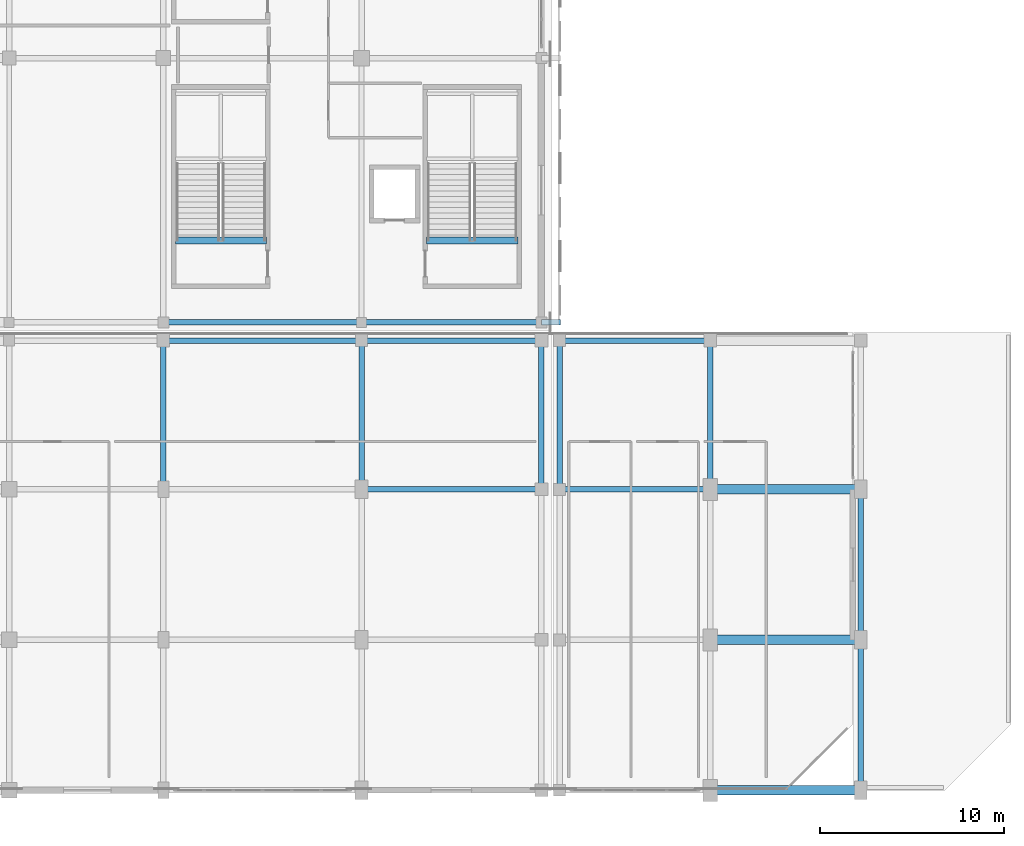
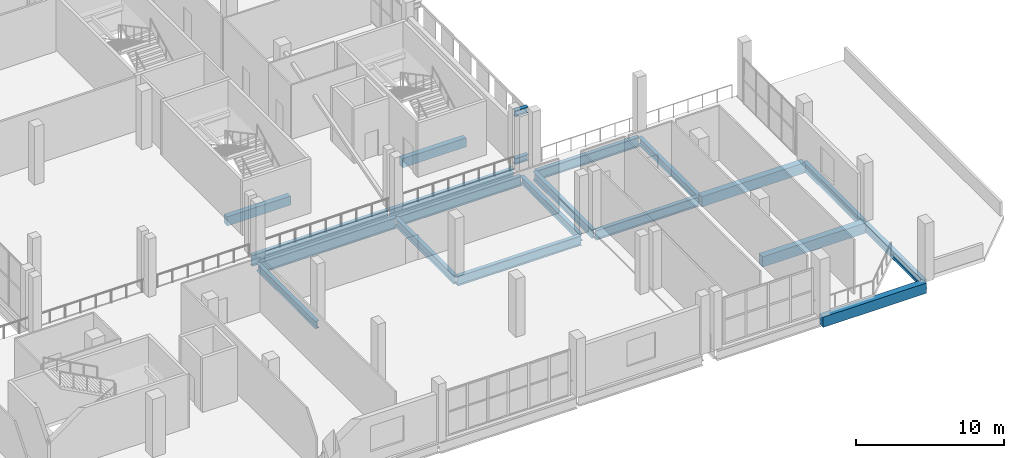
# One storey, part 48 of 142: 21 beams.
"""IFC4 building model written with IfcOpenShell, lengths in metres."""

import ifcopenshell
import ifcopenshell.guid

model = None  # the IFC model being written
_history = None  # IfcOwnerHistory: only IFC2X3 demands one
_inside = {}  # id of a spatial element -> (the spatial element, [elements in it])
_under = {}  # id of a project, library or spatial element -> (it, [spatial elements below it])
_declared = {}  # id of a project -> (the project, [libraries it declares])
_typed = {}  # id of a type object -> (the type object, [elements of that type])
_made_of = {}  # id of a material, layer set ... -> (it, [elements and type objects made of it])


def new_model(schema):
    """Start an empty IFC model of exactly this schema.

    Asked for "IFC4X3", IfcOpenShell would pick the latest addendum, in which some entities
    have other attributes; the version numbers below select the first issue.
    IFC2X3 requires an IfcOwnerHistory on every rooted entity: one is made here for all.
    """
    global model, _history
    if schema == "IFC4X3":
        model = ifcopenshell.file(schema_version=(4, 3, 0, 0))
    else:
        model = ifcopenshell.file(schema=schema)
    _inside.clear()
    _under.clear()
    _declared.clear()
    _typed.clear()
    _made_of.clear()
    _history = None
    if model.schema == "IFC2X3":
        org = make("IfcOrganization", Name="unknown")
        user = make(
            "IfcPersonAndOrganization",
            ThePerson=make("IfcPerson", FamilyName="unknown"),
            TheOrganization=org,
        )
        app = make(
            "IfcApplication",
            ApplicationDeveloper=org,
            Version="unknown",
            ApplicationFullName="unknown",
            ApplicationIdentifier="unknown",
        )
        _history = make(
            "IfcOwnerHistory",
            OwningUser=user,
            OwningApplication=app,
            ChangeAction="ADDED",
            CreationDate=0,
        )
    return model


def make(cls, **values):
    """One entity of the class cls with the attributes given. An attribute that is None is left unset."""
    return model.create_entity(
        cls, **{name: value for name, value in values.items() if value is not None}
    )


def rooted(cls, **values):
    """An entity with a GlobalId (a new one), such as an element, a storey or a relation."""
    return make(cls, GlobalId=ifcopenshell.guid.new(), OwnerHistory=_history, **values)


def si_unit(unit_type, name, prefix=None):
    """IfcSIUnit, for example si_unit("LENGTHUNIT", "METRE", prefix="MILLI")."""
    return make("IfcSIUnit", UnitType=unit_type, Prefix=prefix, Name=name)


def assignment(units):
    """IfcUnitAssignment: the units of a project."""
    return None if units is None else make("IfcUnitAssignment", Units=units)


def point(xyz):
    """IfcCartesianPoint."""
    return None if xyz is None else make("IfcCartesianPoint", Coordinates=xyz)


def direction(xyz):
    """IfcDirection."""
    return None if xyz is None else make("IfcDirection", DirectionRatios=xyz)


def frame(location, z_axis=None, x_axis=None):
    """IfcAxis2Placement3D, a coordinate frame: its origin and axes. An axis left out is left unset."""
    return make(
        "IfcAxis2Placement3D",
        Location=point(location),
        Axis=direction(z_axis),
        RefDirection=direction(x_axis),
    )


def frame_2d(location, x_axis=None):
    """IfcAxis2Placement2D, a coordinate frame in the plane: its origin and x axis."""
    return make(
        "IfcAxis2Placement2D", Location=point(location), RefDirection=direction(x_axis)
    )


def origin():
    """The frame at (0, 0, 0) with its axes left unset."""
    return frame((0.0, 0.0, 0.0))


def origin_2d():
    """The frame at (0, 0) in the plane with its x axis left unset."""
    return frame_2d((0.0, 0.0))


def place(relative_to, where):
    """IfcLocalPlacement: puts the frame where relative to a parent placement (None: the world)."""
    return make(
        "IfcLocalPlacement", PlacementRelTo=relative_to, RelativePlacement=where
    )


def context(
    kind, dimensions, precision=None, world=None, true_north=None, identifier=None
):
    """IfcGeometricRepresentationContext, for example the 3D "Model" context."""
    return make(
        "IfcGeometricRepresentationContext",
        ContextIdentifier=identifier,
        ContextType=kind,
        CoordinateSpaceDimension=dimensions,
        Precision=precision,
        WorldCoordinateSystem=world,
        TrueNorth=true_north,
    )


def subcontext(parent, identifier, kind, view, scale=None):
    """IfcGeometricRepresentationSubContext, for example "Body" below "Model"."""
    return make(
        "IfcGeometricRepresentationSubContext",
        ContextIdentifier=identifier,
        ContextType=kind,
        ParentContext=parent,
        TargetScale=scale,
        TargetView=view,
    )


def project(units=None, contexts=None):
    """IfcProject with its units and contexts."""
    return rooted(
        "IfcProject",
        Name="project",
        RepresentationContexts=contexts,
        UnitsInContext=assignment(units),
    )


def spatial(cls, under=None, at=None, **own):
    """A site, building, storey or space (cls), placed at a placement, below another one or the project."""
    s = rooted(cls, ObjectPlacement=at, **own)
    if under is not None:
        _under.setdefault(under.id(), (under, []))[1].append(s)
    return s


def profile(cls, at=None, kind="AREA", **sizes):
    """A parametric profile (cls). Its sizes go by their IFC names, for example OverallWidth=200.0."""
    return make(cls, ProfileType=kind, Position=at, **sizes)


def rectangle(**sizes):
    """IfcRectangleProfileDef."""
    return profile("IfcRectangleProfileDef", **sizes)


def i_section(**sizes):
    """IfcIShapeProfileDef."""
    return profile("IfcIShapeProfileDef", **sizes)


def extrude(swept, where, along, depth):
    """IfcExtrudedAreaSolid: the profile swept, set in the frame where, extruded along a direction by depth."""
    return make(
        "IfcExtrudedAreaSolid",
        SweptArea=swept,
        Position=where,
        ExtrudedDirection=direction(along),
        Depth=depth,
    )


def shape(context_of_items, identifier, shape_type, items):
    """IfcShapeRepresentation: the items that make up one representation, for example the "Body"."""
    return make(
        "IfcShapeRepresentation",
        ContextOfItems=context_of_items,
        RepresentationIdentifier=identifier,
        RepresentationType=shape_type,
        Items=items,
    )


def material(Name=None, Category=None):
    """IfcMaterial."""
    return make("IfcMaterial", Name=Name, Category=Category)


def material_profile(
    of_material, cross_section, Name=None, Category=None, Priority=None
):
    """IfcMaterialProfile: a cross section and its material."""
    return make(
        "IfcMaterialProfile",
        Name=Name,
        Material=of_material,
        Profile=cross_section,
        Priority=Priority,
        Category=Category,
    )


def profile_set(profiles, Name=None, composite=None):
    """IfcMaterialProfileSet."""
    return make(
        "IfcMaterialProfileSet",
        Name=Name,
        MaterialProfiles=profiles,
        CompositeProfile=composite,
    )


def made_of(thing, what):
    """Note that an element or type object is made of a material, layer set ...; save() writes the relation."""
    if what is not None:
        _made_of.setdefault(what.id(), (what, []))[1].append(thing)
    return thing


def type_object(cls, material=None, **own):
    """A type object (cls), such as IfcWallType, which elements share."""
    return made_of(rooted(cls, **own), material)


def element(
    cls,
    number,
    at=None,
    inside=None,
    cuts=None,
    type_object=None,
    material=None,
    context=None,
    identifier="Body",
    shape_type=None,
    held_by="IfcProductDefinitionShape",
    body=None,
    shapes=None,
    **own,
):
    """One element of the class cls, such as IfcWall. Its Tag is "e" and its number.

    at: its placement. inside: the storey or other place that contains it. cuts: it is an
    opening in that element (IfcRelVoidsElement). A single representation is given by context,
    identifier, shape_type and body (its items); several are given by shapes. held_by: the class
    of the entity that holds the representations. save() writes the other relations.
    """
    e = rooted(cls, Tag="e%d" % number, ObjectPlacement=at, **own)
    if body is not None:
        shapes = [shape(context, identifier, shape_type, body)]
    if shapes is not None:
        e.Representation = make(held_by, Representations=shapes)
    if inside is not None:
        _inside.setdefault(inside.id(), (inside, []))[1].append(e)
    if cuts is not None:
        rooted(
            "IfcRelVoidsElement", RelatingBuildingElement=cuts, RelatedOpeningElement=e
        )
    if type_object is not None:
        _typed.setdefault(type_object.id(), (type_object, []))[1].append(e)
    return made_of(e, material)


def aggregate(whole, parts):
    """IfcRelAggregates: a whole, such as a stair, and the parts it consists of."""
    return rooted("IfcRelAggregates", RelatingObject=whole, RelatedObjects=parts)


def save(model, path):
    """Write the relations noted so far, then the file.

    IfcRelAggregates (storeys below a building ...), IfcRelContainedInSpatialStructure (elements
    in a storey), IfcRelDefinesByType, IfcRelAssociatesMaterial and IfcRelDeclares: one each for
    every whole, place, type object, material and project.
    """
    for whole, parts in _under.values():
        aggregate(whole, parts)
    for where, things in _inside.values():
        rooted(
            "IfcRelContainedInSpatialStructure",
            RelatedElements=things,
            RelatingStructure=where,
        )
    for kind, things in _typed.values():
        rooted("IfcRelDefinesByType", RelatedObjects=things, RelatingType=kind)
    for what, things in _made_of.values():
        rooted("IfcRelAssociatesMaterial", RelatedObjects=things, RelatingMaterial=what)
    for by, libraries in _declared.values():
        rooted("IfcRelDeclares", RelatingContext=by, RelatedDefinitions=libraries)
    model.write(path)


model = new_model("IFC4")

# Units and contexts
model_context = context("Model", 3, precision=1e-05, world=origin(), true_north=direction((0.0, 1.0)))
body_context = subcontext(model_context, "Body", "Model", "MODEL_VIEW")
ifc_project = project(units=[si_unit("LENGTHUNIT", "METRE"), si_unit("AREAUNIT", "SQUARE_METRE"), si_unit("VOLUMEUNIT", "CUBIC_METRE"), si_unit("PLANEANGLEUNIT", "RADIAN"), si_unit("MASSUNIT", "GRAM", prefix="KILO")], contexts=[model_context])

# Site, building, storey
site_placement = place(None, origin())
site = spatial("IfcSite", under=ifc_project, at=site_placement, CompositionType="ELEMENT")
building_placement = place(site_placement, origin())
building = spatial("IfcBuilding", under=site, at=building_placement, Name="Koshinbarg Plaza Stadium", CompositionType="ELEMENT")
storey_placement = place(building_placement, frame((0.0, 0.0, 10.199951171875)))
storey = spatial("IfcBuildingStorey", under=building, at=storey_placement, Name="L02", CompositionType="ELEMENT", Elevation=10.199951171875)

# Beams
ifc_material_1 = material(Name="Steel S355", Category="steel")
ifc_material_profile_1 = material_profile(ifc_material_1, i_section(OverallWidth=0.300048828125, OverallDepth=0.5, WebThickness=0.014404296875, FlangeThickness=0.028076171875, at=origin_2d()), Name="HEB 500")
ifc_profile_set_1 = profile_set([ifc_material_profile_1], Name="Steel S355")
beam_type_1 = type_object("IfcBeamType", Name="BM-CANOPY-CANT", PredefinedType="BEAM", material=ifc_profile_set_1)
for number, where, z_axis, x_axis, name in (
    (1, (218.39990234375, 25.5, 0.25), (1.0, 0.0, 0.0), (0.0, 1.0, 0.0), "Outer screen cantilever outrigger E-L02-Y01"),
    (2, (218.39990234375, 25.5, 4.179931640625), (1.0, 0.0, 0.0), (0.0, 1.0, 0.0), "Outer screen cantilever outrigger E-L02-Y01"),
):
    element("IfcBeam", number, at=place(storey_placement, frame(where, z_axis=z_axis, x_axis=x_axis)), inside=storey, type_object=beam_type_1, Name=name, PredefinedType="BEAM", context=body_context, shape_type="SweptSolid", body=[
        extrude(i_section(OverallWidth=0.300048828125, OverallDepth=0.5, WebThickness=0.014404296875, FlangeThickness=0.028076171875, at=origin_2d()), origin(), (0.0, 0.0, 1.0), 1.030029296875),
    ])
ifc_material_2 = material(Name="Concrete C40/50", Category="concrete")
ifc_material_profile_2 = material_profile(ifc_material_2, rectangle(XDim=0.39990234375, YDim=0.75, at=origin_2d()), Name="RC 400x750")
ifc_profile_set_2 = profile_set([ifc_material_profile_2], Name="Concrete C40/50")
beam_type_2 = type_object("IfcBeamType", Name="BM-RCG-03", PredefinedType="USERDEFINED", material=ifc_profile_set_2)
beam_1_placement = place(storey_placement, frame((212.14990234375, 29.9599609375, -0.375), z_axis=(1.0, 0.0, 0.0), x_axis=(0.0, 1.0, 0.0)))
element("IfcBeam", 3, at=beam_1_placement, inside=storey, type_object=beam_type_2, Name="L02 stair landing header beam C07", ObjectType="GIRDER", PredefinedType="USERDEFINED", context=body_context, shape_type="SweptSolid", body=[
    extrude(rectangle(XDim=0.39990234375, YDim=0.75, at=origin_2d()), origin(), (0.0, 0.0, 1.0), 4.97021484375),
])
beam_2_placement = place(storey_placement, frame((198.449951171875, 29.9599609375, -0.375), z_axis=(1.0, 0.0, 0.0), x_axis=(0.0, 1.0, 0.0)))
element("IfcBeam", 4, at=beam_2_placement, inside=storey, type_object=beam_type_2, Name="L02 stair landing header beam VX07", ObjectType="GIRDER", PredefinedType="USERDEFINED", context=body_context, shape_type="SweptSolid", body=[
    extrude(rectangle(XDim=0.39990234375, YDim=0.75, at=origin_2d()), origin(), (0.0, 0.0, 1.0), 4.969970703125),
])
ifc_material_profile_3 = material_profile(ifc_material_2, rectangle(XDim=0.5, YDim=0.85009765625, at=origin_2d()), Name="RC 500x850")
ifc_profile_set_3 = profile_set([ifc_material_profile_3], Name="Concrete C40/50")
beam_type_3 = type_object("IfcBeamType", Name="BM-RCG-05", PredefinedType="USERDEFINED", material=ifc_profile_set_3)
for number, where, z_axis, x_axis, name in (
    (5, (227.659912109375, 0.0, -0.724853515625), (1.0, 0.0, 0.0), (0.0, 1.0, 0.0), "L02 X girder A/23-24"),
    (6, (227.659912109375, 8.199951171875, -0.724853515625), (1.0, 0.0, 0.0), (0.0, 1.0, 0.0), "L02 X girder B/23-24"),
    (7, (227.659912109375, 16.39990234375, -0.724853515625), (1.0, 0.0, 0.0), (0.0, 1.0, 0.0), "L02 X girder C/23-24"),
):
    element("IfcBeam", number, at=place(storey_placement, frame(where, z_axis=z_axis, x_axis=x_axis)), inside=storey, type_object=beam_type_3, Name=name, ObjectType="GIRDER", PredefinedType="USERDEFINED", context=body_context, shape_type="SweptSolid", body=[
        extrude(rectangle(XDim=0.5, YDim=0.85009765625, at=origin_2d()), origin(), (0.0, 0.0, 1.0), 8.080078125),
    ])
ifc_material_profile_4 = material_profile(ifc_material_1, i_section(OverallWidth=0.300048828125, OverallDepth=0.60009765625, WebThickness=0.015380859375, FlangeThickness=0.030029296875, at=origin_2d()), Name="HEB 600")
ifc_profile_set_4 = profile_set([ifc_material_profile_4], Name="Steel S355")
beam_type_4 = type_object("IfcBeamType", Name="BM-SGIR-02", PredefinedType="USERDEFINED", material=ifc_profile_set_4)
for number, where, z_axis, x_axis, name in (
    (8, (197.800048828125, 16.4599609375, -0.599853515625), (0.0, 1.0, 0.0), (-1.0, 0.0, 0.0), "L02 Y girder 19/C-D"),
    (9, (218.39990234375, 16.4599609375, -0.599853515625), (0.0, 1.0, 0.0), (-1.0, 0.0, 0.0), "L02 Y girder 21/C-D"),
    (10, (227.60009765625, 16.4599609375, -0.599853515625), (0.0, 1.0, 0.0), (-1.0, 0.0, 0.0), "L02 Y girder 23/C-D"),
):
    element("IfcBeam", number, at=place(storey_placement, frame(where, z_axis=z_axis, x_axis=x_axis)), inside=storey, type_object=beam_type_4, Name=name, ObjectType="GIRDER", PredefinedType="USERDEFINED", context=body_context, shape_type="SweptSolid", body=[
        extrude(i_section(OverallWidth=0.300048828125, OverallDepth=0.60009765625, WebThickness=0.015380859375, FlangeThickness=0.030029296875, at=origin_2d()), origin(), (0.0, 0.0, 1.0), 7.97998046875),
    ])
ifc_material_profile_5 = material_profile(ifc_material_1, i_section(OverallWidth=0.300048828125, OverallDepth=0.699951171875, WebThickness=0.01708984375, FlangeThickness=0.031982421875, at=origin_2d()), Name="HEB 700")
ifc_profile_set_5 = profile_set([ifc_material_profile_5], Name="Steel S355")
beam_type_5 = type_object("IfcBeamType", Name="BM-SGIR-03", PredefinedType="USERDEFINED", material=ifc_profile_set_5)
for number, where, z_axis, x_axis, name in (
    (11, (208.60009765625, 16.4599609375, -0.64990234375), (0.0, 1.0, 0.0), (-1.0, 0.0, 0.0), "L02 Y girder 20/C-D"),
    (12, (219.39990234375, 16.4599609375, -0.64990234375), (0.0, 1.0, 0.0), (-1.0, 0.0, 0.0), "L02 Y girder 22/C-D"),
):
    element("IfcBeam", number, at=place(storey_placement, frame(where, z_axis=z_axis, x_axis=x_axis)), inside=storey, type_object=beam_type_5, Name=name, ObjectType="GIRDER", PredefinedType="USERDEFINED", context=body_context, shape_type="SweptSolid", body=[
        extrude(i_section(OverallWidth=0.300048828125, OverallDepth=0.699951171875, WebThickness=0.01708984375, FlangeThickness=0.031982421875, at=origin_2d()), origin(), (0.0, 0.0, 1.0), 7.97998046875),
    ])
beam_3_placement = place(storey_placement, frame((235.800048828125, 0.06005859375, -0.64990234375), z_axis=(0.0, 1.0, 0.0), x_axis=(-1.0, 0.0, 0.0)))
element("IfcBeam", 13, at=beam_3_placement, inside=storey, type_object=beam_type_5, Name="L02 Y girder 24/A-B", ObjectType="GIRDER", PredefinedType="USERDEFINED", context=body_context, shape_type="SweptSolid", body=[
    extrude(i_section(OverallWidth=0.300048828125, OverallDepth=0.699951171875, WebThickness=0.01708984375, FlangeThickness=0.031982421875, at=origin_2d()), origin(), (0.0, 0.0, 1.0), 8.079833984375),
])
beam_4_placement = place(storey_placement, frame((235.800048828125, 8.260009765625, -0.64990234375), z_axis=(0.0, 1.0, 0.0), x_axis=(-1.0, 0.0, 0.0)))
element("IfcBeam", 14, at=beam_4_placement, inside=storey, type_object=beam_type_5, Name="L02 Y girder 24/B-C", ObjectType="GIRDER", PredefinedType="USERDEFINED", context=body_context, shape_type="SweptSolid", body=[
    extrude(i_section(OverallWidth=0.300048828125, OverallDepth=0.699951171875, WebThickness=0.01708984375, FlangeThickness=0.031982421875, at=origin_2d()), origin(), (0.0, 0.0, 1.0), 8.080078125),
])
ifc_material_profile_6 = material_profile(ifc_material_1, i_section(OverallWidth=0.300048828125, OverallDepth=0.800048828125, WebThickness=0.017578125, FlangeThickness=0.032958984375, at=origin_2d()), Name="HEB 800")
ifc_profile_set_6 = profile_set([ifc_material_profile_6], Name="Steel S355")
beam_type_6 = type_object("IfcBeamType", Name="BM-SGIR-04", PredefinedType="USERDEFINED", material=ifc_profile_set_6)
beam_5_placement = place(storey_placement, frame((208.659912109375, 16.39990234375, -0.699951171875), z_axis=(1.0, 0.0, 0.0), x_axis=(0.0, 1.0, 0.0)))
element("IfcBeam", 15, at=beam_5_placement, inside=storey, type_object=beam_type_6, Name="L02 X girder C/20-21", ObjectType="GIRDER", PredefinedType="USERDEFINED", context=body_context, shape_type="SweptSolid", body=[
    extrude(i_section(OverallWidth=0.300048828125, OverallDepth=0.800048828125, WebThickness=0.017578125, FlangeThickness=0.032958984375, at=origin_2d()), origin(), (0.0, 0.0, 1.0), 9.68017578125),
])
beam_6_placement = place(storey_placement, frame((219.4599609375, 16.39990234375, -0.699951171875), z_axis=(1.0, 0.0, 0.0), x_axis=(0.0, 1.0, 0.0)))
element("IfcBeam", 16, at=beam_6_placement, inside=storey, type_object=beam_type_6, Name="L02 X girder C/22-23", ObjectType="GIRDER", PredefinedType="USERDEFINED", context=body_context, shape_type="SweptSolid", body=[
    extrude(i_section(OverallWidth=0.300048828125, OverallDepth=0.800048828125, WebThickness=0.017578125, FlangeThickness=0.032958984375, at=origin_2d()), origin(), (0.0, 0.0, 1.0), 8.080078125),
])
beam_7_placement = place(storey_placement, frame((208.659912109375, 24.5, -0.699951171875), z_axis=(1.0, 0.0, 0.0), x_axis=(0.0, 1.0, 0.0)))
element("IfcBeam", 17, at=beam_7_placement, inside=storey, type_object=beam_type_6, Name="L02 X girder D/20-21", ObjectType="GIRDER", PredefinedType="USERDEFINED", context=body_context, shape_type="SweptSolid", body=[
    extrude(i_section(OverallWidth=0.300048828125, OverallDepth=0.800048828125, WebThickness=0.017578125, FlangeThickness=0.032958984375, at=origin_2d()), origin(), (0.0, 0.0, 1.0), 9.68017578125),
])
beam_8_placement = place(storey_placement, frame((219.4599609375, 24.5, -0.699951171875), z_axis=(1.0, 0.0, 0.0), x_axis=(0.0, 1.0, 0.0)))
element("IfcBeam", 18, at=beam_8_placement, inside=storey, type_object=beam_type_6, Name="L02 X girder D/22-23", ObjectType="GIRDER", PredefinedType="USERDEFINED", context=body_context, shape_type="SweptSolid", body=[
    extrude(i_section(OverallWidth=0.300048828125, OverallDepth=0.800048828125, WebThickness=0.017578125, FlangeThickness=0.032958984375, at=origin_2d()), origin(), (0.0, 0.0, 1.0), 8.080078125),
])
beam_9_placement = place(storey_placement, frame((208.659912109375, 25.5, -0.699951171875), z_axis=(1.0, 0.0, 0.0), x_axis=(0.0, 1.0, 0.0)))
element("IfcBeam", 19, at=beam_9_placement, inside=storey, type_object=beam_type_6, Name="L02 X girder E/20-21", ObjectType="GIRDER", PredefinedType="USERDEFINED", context=body_context, shape_type="SweptSolid", body=[
    extrude(i_section(OverallWidth=0.300048828125, OverallDepth=0.800048828125, WebThickness=0.017578125, FlangeThickness=0.032958984375, at=origin_2d()), origin(), (0.0, 0.0, 1.0), 9.68017578125),
])
ifc_material_profile_7 = material_profile(ifc_material_1, i_section(OverallWidth=0.300048828125, OverallDepth=0.89990234375, WebThickness=0.0185546875, FlangeThickness=0.034912109375, at=origin_2d()), Name="HEB 900")
ifc_profile_set_7 = profile_set([ifc_material_profile_7], Name="Steel S355")
beam_type_7 = type_object("IfcBeamType", Name="BM-SGIR-05", PredefinedType="USERDEFINED", material=ifc_profile_set_7)
for number, where, z_axis, x_axis, name in (
    (20, (197.860107421875, 24.5, -0.75), (1.0, 0.0, 0.0), (0.0, 1.0, 0.0), "L02 X girder D/19-20"),
    (21, (197.860107421875, 25.5, -0.75), (1.0, 0.0, 0.0), (0.0, 1.0, 0.0), "L02 X girder E/19-20"),
):
    element("IfcBeam", number, at=place(storey_placement, frame(where, z_axis=z_axis, x_axis=x_axis)), inside=storey, type_object=beam_type_7, Name=name, ObjectType="GIRDER", PredefinedType="USERDEFINED", context=body_context, shape_type="SweptSolid", body=[
        extrude(i_section(OverallWidth=0.300048828125, OverallDepth=0.89990234375, WebThickness=0.0185546875, FlangeThickness=0.034912109375, at=origin_2d()), origin(), (0.0, 0.0, 1.0), 10.679931640625),
    ])

save(model, "model.ifc")
